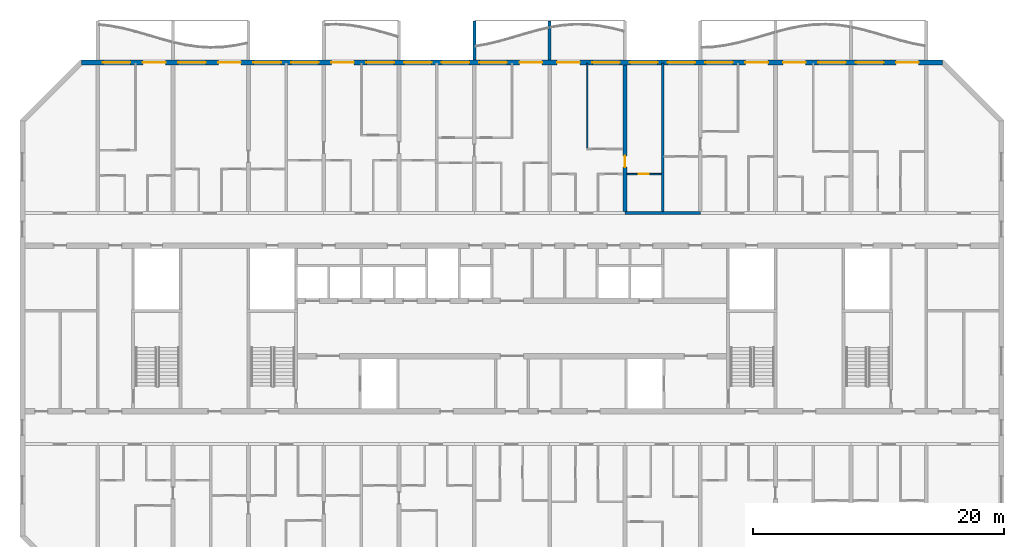
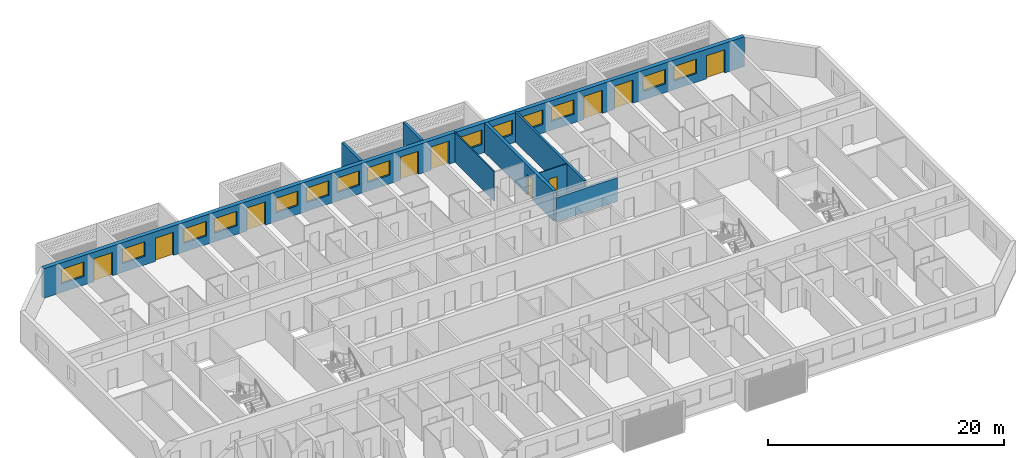
# One storey, part 10 of 31: 14 windows, 10 doors, 8 walls, 24 openings.
"""IFC4 building model written with IfcOpenShell, lengths in metres."""

import ifcopenshell
import ifcopenshell.guid

model = None  # the IFC model being written
_history = None  # IfcOwnerHistory: only IFC2X3 demands one
_inside = {}  # id of a spatial element -> (the spatial element, [elements in it])
_under = {}  # id of a project, library or spatial element -> (it, [spatial elements below it])
_declared = {}  # id of a project -> (the project, [libraries it declares])
_typed = {}  # id of a type object -> (the type object, [elements of that type])
_made_of = {}  # id of a material, layer set ... -> (it, [elements and type objects made of it])


def new_model(schema):
    """Start an empty IFC model of exactly this schema.

    Asked for "IFC4X3", IfcOpenShell would pick the latest addendum, in which some entities
    have other attributes; the version numbers below select the first issue.
    IFC2X3 requires an IfcOwnerHistory on every rooted entity: one is made here for all.
    """
    global model, _history
    if schema == "IFC4X3":
        model = ifcopenshell.file(schema_version=(4, 3, 0, 0))
    else:
        model = ifcopenshell.file(schema=schema)
    _inside.clear()
    _under.clear()
    _declared.clear()
    _typed.clear()
    _made_of.clear()
    _history = None
    if model.schema == "IFC2X3":
        org = make("IfcOrganization", Name="unknown")
        user = make(
            "IfcPersonAndOrganization",
            ThePerson=make("IfcPerson", FamilyName="unknown"),
            TheOrganization=org,
        )
        app = make(
            "IfcApplication",
            ApplicationDeveloper=org,
            Version="unknown",
            ApplicationFullName="unknown",
            ApplicationIdentifier="unknown",
        )
        _history = make(
            "IfcOwnerHistory",
            OwningUser=user,
            OwningApplication=app,
            ChangeAction="ADDED",
            CreationDate=0,
        )
    return model


def make(cls, **values):
    """One entity of the class cls with the attributes given. An attribute that is None is left unset."""
    return model.create_entity(
        cls, **{name: value for name, value in values.items() if value is not None}
    )


def rooted(cls, **values):
    """An entity with a GlobalId (a new one), such as an element, a storey or a relation."""
    return make(cls, GlobalId=ifcopenshell.guid.new(), OwnerHistory=_history, **values)


def si_unit(unit_type, name, prefix=None):
    """IfcSIUnit, for example si_unit("LENGTHUNIT", "METRE", prefix="MILLI")."""
    return make("IfcSIUnit", UnitType=unit_type, Prefix=prefix, Name=name)


def assignment(units):
    """IfcUnitAssignment: the units of a project."""
    return None if units is None else make("IfcUnitAssignment", Units=units)


def point(xyz):
    """IfcCartesianPoint."""
    return None if xyz is None else make("IfcCartesianPoint", Coordinates=xyz)


def direction(xyz):
    """IfcDirection."""
    return None if xyz is None else make("IfcDirection", DirectionRatios=xyz)


def frame(location, z_axis=None, x_axis=None):
    """IfcAxis2Placement3D, a coordinate frame: its origin and axes. An axis left out is left unset."""
    return make(
        "IfcAxis2Placement3D",
        Location=point(location),
        Axis=direction(z_axis),
        RefDirection=direction(x_axis),
    )


def frame_2d(location, x_axis=None):
    """IfcAxis2Placement2D, a coordinate frame in the plane: its origin and x axis."""
    return make(
        "IfcAxis2Placement2D", Location=point(location), RefDirection=direction(x_axis)
    )


def origin():
    """The frame at (0, 0, 0) with its axes left unset."""
    return frame((0.0, 0.0, 0.0))


def place(relative_to, where):
    """IfcLocalPlacement: puts the frame where relative to a parent placement (None: the world)."""
    return make(
        "IfcLocalPlacement", PlacementRelTo=relative_to, RelativePlacement=where
    )


def context(
    kind, dimensions, precision=None, world=None, true_north=None, identifier=None
):
    """IfcGeometricRepresentationContext, for example the 3D "Model" context."""
    return make(
        "IfcGeometricRepresentationContext",
        ContextIdentifier=identifier,
        ContextType=kind,
        CoordinateSpaceDimension=dimensions,
        Precision=precision,
        WorldCoordinateSystem=world,
        TrueNorth=true_north,
    )


def subcontext(parent, identifier, kind, view, scale=None):
    """IfcGeometricRepresentationSubContext, for example "Body" below "Model"."""
    return make(
        "IfcGeometricRepresentationSubContext",
        ContextIdentifier=identifier,
        ContextType=kind,
        ParentContext=parent,
        TargetScale=scale,
        TargetView=view,
    )


def project(units=None, contexts=None):
    """IfcProject with its units and contexts."""
    return rooted(
        "IfcProject",
        Name="project",
        RepresentationContexts=contexts,
        UnitsInContext=assignment(units),
    )


def spatial(cls, under=None, at=None, **own):
    """A site, building, storey or space (cls), placed at a placement, below another one or the project."""
    s = rooted(cls, ObjectPlacement=at, **own)
    if under is not None:
        _under.setdefault(under.id(), (under, []))[1].append(s)
    return s


def polyline(points):
    """IfcPolyline through the points."""
    return make("IfcPolyline", Points=[point(p) for p in points])


def profile(cls, at=None, kind="AREA", **sizes):
    """A parametric profile (cls). Its sizes go by their IFC names, for example OverallWidth=200.0."""
    return make(cls, ProfileType=kind, Position=at, **sizes)


def rectangle(**sizes):
    """IfcRectangleProfileDef."""
    return profile("IfcRectangleProfileDef", **sizes)


def outline(outer, holes=None, kind="AREA"):
    """IfcArbitraryClosedProfileDef: a profile drawn as a closed curve; with holes, ...WithVoids."""
    if holes is None:
        return make("IfcArbitraryClosedProfileDef", ProfileType=kind, OuterCurve=outer)
    return make(
        "IfcArbitraryProfileDefWithVoids",
        ProfileType=kind,
        OuterCurve=outer,
        InnerCurves=holes,
    )


def extrude(swept, where, along, depth):
    """IfcExtrudedAreaSolid: the profile swept, set in the frame where, extruded along a direction by depth."""
    return make(
        "IfcExtrudedAreaSolid",
        SweptArea=swept,
        Position=where,
        ExtrudedDirection=direction(along),
        Depth=depth,
    )


def shape(context_of_items, identifier, shape_type, items):
    """IfcShapeRepresentation: the items that make up one representation, for example the "Body"."""
    return make(
        "IfcShapeRepresentation",
        ContextOfItems=context_of_items,
        RepresentationIdentifier=identifier,
        RepresentationType=shape_type,
        Items=items,
    )


def source(mapping_origin, context_of_items, identifier, shape_type, items):
    """IfcRepresentationMap: a shape defined once, which mapped items show again and again."""
    return make(
        "IfcRepresentationMap",
        MappingOrigin=mapping_origin,
        MappedRepresentation=shape(context_of_items, identifier, shape_type, items),
    )


def transform(
    local_origin,
    x_axis=None,
    y_axis=None,
    z_axis=None,
    scale=None,
    scale2=None,
    scale3=None,
    uniform=True,
):
    """IfcCartesianTransformationOperator3D, or its non-uniform kind. x_axis, y_axis, z_axis: its Axis1, 2, 3."""
    if uniform:
        return make(
            "IfcCartesianTransformationOperator3D",
            Axis1=direction(x_axis),
            Axis2=direction(y_axis),
            LocalOrigin=point(local_origin),
            Scale=scale,
            Axis3=direction(z_axis),
        )
    return make(
        "IfcCartesianTransformationOperator3DnonUniform",
        Axis1=direction(x_axis),
        Axis2=direction(y_axis),
        LocalOrigin=point(local_origin),
        Scale=scale,
        Axis3=direction(z_axis),
        Scale2=scale2,
        Scale3=scale3,
    )


def mapped(mapping_source, mapping_target):
    """IfcMappedItem: shows the shape of a source again, moved by a transform."""
    return make(
        "IfcMappedItem", MappingSource=mapping_source, MappingTarget=mapping_target
    )


def material(Name=None, Category=None):
    """IfcMaterial."""
    return make("IfcMaterial", Name=Name, Category=Category)


def layer(
    of_material, thickness, ventilated=None, Name=None, Category=None, Priority=None
):
    """IfcMaterialLayer: one layer of a wall or slab, of a material (None: an air gap)."""
    return make(
        "IfcMaterialLayer",
        Material=of_material,
        LayerThickness=thickness,
        IsVentilated=ventilated,
        Name=Name,
        Category=Category,
        Priority=Priority,
    )


def layer_set(layers, Name=None):
    """IfcMaterialLayerSet."""
    return make("IfcMaterialLayerSet", MaterialLayers=layers, LayerSetName=Name)


def made_of(thing, what):
    """Note that an element or type object is made of a material, layer set ...; save() writes the relation."""
    if what is not None:
        _made_of.setdefault(what.id(), (what, []))[1].append(thing)
    return thing


def type_object(cls, material=None, **own):
    """A type object (cls), such as IfcWallType, which elements share."""
    return made_of(rooted(cls, **own), material)


def element(
    cls,
    number,
    at=None,
    inside=None,
    cuts=None,
    type_object=None,
    material=None,
    context=None,
    identifier="Body",
    shape_type=None,
    held_by="IfcProductDefinitionShape",
    body=None,
    shapes=None,
    **own,
):
    """One element of the class cls, such as IfcWall. Its Tag is "e" and its number.

    at: its placement. inside: the storey or other place that contains it. cuts: it is an
    opening in that element (IfcRelVoidsElement). A single representation is given by context,
    identifier, shape_type and body (its items); several are given by shapes. held_by: the class
    of the entity that holds the representations. save() writes the other relations.
    """
    e = rooted(cls, Tag="e%d" % number, ObjectPlacement=at, **own)
    if body is not None:
        shapes = [shape(context, identifier, shape_type, body)]
    if shapes is not None:
        e.Representation = make(held_by, Representations=shapes)
    if inside is not None:
        _inside.setdefault(inside.id(), (inside, []))[1].append(e)
    if cuts is not None:
        rooted(
            "IfcRelVoidsElement", RelatingBuildingElement=cuts, RelatedOpeningElement=e
        )
    if type_object is not None:
        _typed.setdefault(type_object.id(), (type_object, []))[1].append(e)
    return made_of(e, material)


def fill(opening, filler):
    """IfcRelFillsElement: the door or window that sits in an opening."""
    return rooted(
        "IfcRelFillsElement",
        RelatingOpeningElement=opening,
        RelatedBuildingElement=filler,
    )


def aggregate(whole, parts):
    """IfcRelAggregates: a whole, such as a stair, and the parts it consists of."""
    return rooted("IfcRelAggregates", RelatingObject=whole, RelatedObjects=parts)


def save(model, path):
    """Write the relations noted so far, then the file.

    IfcRelAggregates (storeys below a building ...), IfcRelContainedInSpatialStructure (elements
    in a storey), IfcRelDefinesByType, IfcRelAssociatesMaterial and IfcRelDeclares: one each for
    every whole, place, type object, material and project.
    """
    for whole, parts in _under.values():
        aggregate(whole, parts)
    for where, things in _inside.values():
        rooted(
            "IfcRelContainedInSpatialStructure",
            RelatedElements=things,
            RelatingStructure=where,
        )
    for kind, things in _typed.values():
        rooted("IfcRelDefinesByType", RelatedObjects=things, RelatingType=kind)
    for what, things in _made_of.values():
        rooted("IfcRelAssociatesMaterial", RelatedObjects=things, RelatingMaterial=what)
    for by, libraries in _declared.values():
        rooted("IfcRelDeclares", RelatingContext=by, RelatedDefinitions=libraries)
    model.write(path)


model = new_model("IFC4")

# Units and contexts
model_context = context("Model", 3, precision=1e-05, world=origin(), true_north=direction((0.0, 1.0)))
body_context = subcontext(model_context, "Body", "Model", "MODEL_VIEW")
ifc_project = project(units=[si_unit("LENGTHUNIT", "METRE"), si_unit("AREAUNIT", "SQUARE_METRE"), si_unit("VOLUMEUNIT", "CUBIC_METRE"), si_unit("PLANEANGLEUNIT", "RADIAN"), si_unit("MASSUNIT", "GRAM", prefix="KILO")], contexts=[model_context])

# Site, building, storey
site_placement = place(None, origin())
site = spatial("IfcSite", under=ifc_project, at=site_placement, CompositionType="ELEMENT")
building_placement = place(site_placement, origin())
building = spatial("IfcBuilding", under=site, at=building_placement, Name="Poui Terraces", CompositionType="ELEMENT")
storey_placement = place(building_placement, frame((0.0, 0.0, 145.5)))
storey = spatial("IfcBuildingStorey", under=building, at=storey_placement, Name="L40", CompositionType="ELEMENT", Elevation=145.5)

# Wall
ifc_material_1 = material(Name="Concrete 65 MPa", Category="concrete")
ifc_layer_1 = layer(ifc_material_1, 0.25)
ifc_layer_set_1 = layer_set([ifc_layer_1], Name="Concrete 65 MPa")
wall_type_1 = type_object("IfcWallType", Name="CORRIDOR WALL 250 65MPa", PredefinedType="SHEAR", material=ifc_layer_set_1)
wall_1_placement = place(storey_placement, frame((60.0, 30.39990234375, 0.0), z_axis=(0.0, 0.0, 1.0), x_axis=(1.0, 0.0, 0.0)))
element("IfcWall", 1, at=wall_1_placement, inside=storey, type_object=wall_type_1, Name="CORRIDOR WALL LINE E BAY 9", PredefinedType="SHEAR", context=body_context, shape_type="SweptSolid", body=[
    extrude(rectangle(XDim=6.0, YDim=0.25, at=frame_2d((3.0, 0.0))), origin(), (0.0, 0.0, 1.0), 2.469970703125),
])

# Wall, opening, door
ifc_layer_2 = layer(ifc_material_1, 0.300048828125)
ifc_layer_set_2 = layer_set([ifc_layer_2], Name="Concrete 65 MPa")
wall_type_2 = type_object("IfcWallType", Name="CROSS WALL 300 65MPa", PredefinedType="SHEAR", material=ifc_layer_set_2)
wall_2_placement = place(storey_placement, frame((60.0, 30.52490234375, 0.0), z_axis=(0.0, 0.0, 1.0), x_axis=(0.0, 1.0, 0.0)))
wall_2 = element("IfcWall", 2, at=wall_2_placement, inside=storey, type_object=wall_type_2, Name="CROSS WALL LINE 11 NORTH", PredefinedType="SHEAR", context=body_context, shape_type="SweptSolid", body=[
    extrude(rectangle(XDim=11.675048828125, YDim=0.300048828125, at=frame_2d((5.83740234375, 0.0))), origin(), (0.0, 0.0, 1.0), 3.070068359375),
])
opening_1_placement = place(wall_2_placement, frame((3.52490234375, 0.0, 0.0)))
opening_1 = element("IfcOpeningElement", 3, at=opening_1_placement, cuts=wall_2, Name="Opening D90", PredefinedType="OPENING", context=body_context, shape_type="SweptSolid", body=[
    extrude(rectangle(XDim=0.89990234375, YDim=2.10009765625, at=frame_2d((0.449951171875, 1.050048828125))), frame((0.0, 0.16015625, 0.0), z_axis=(0.0, -1.0, 0.0), x_axis=(1.0, 0.0, 0.0)), (0.0, 0.0, 1.0), 0.320068359375),
])
ifc_material_2 = material(Name="Solid core timber door", Category="wood")
door_type_1 = type_object("IfcDoorType", Name="INTERNAL DOOR 900 X 2100", OperationType="NOTDEFINED", PredefinedType="DOOR", material=ifc_material_2)
door_1_placement = place(opening_1_placement, frame((0.89990234375, 0.0, 0.0), z_axis=(0.0, 0.0, 1.0), x_axis=(-1.0, 0.0, 0.0)))
door_1 = element("IfcDoor", 4, at=door_1_placement, inside=storey, type_object=door_type_1, Name="INTERNAL DOOR 062", OperationType="SINGLE_SWING_RIGHT", OverallHeight=2.10009765625, OverallWidth=0.89990234375, PredefinedType="DOOR", context=body_context, shape_type="SweptSolid", body=[
    extrude(rectangle(XDim=0.89990234375, YDim=2.10009765625, at=frame_2d((0.449951171875, 1.050048828125))), frame((0.0, 0.02490234375, 0.0), z_axis=(0.0, -1.0, 0.0), x_axis=(1.0, 0.0, 0.0)), (0.0, 0.0, 1.0), 0.050048828125),
])
fill(opening_1, door_1)

# Wall, openings, doors, windows
ifc_material_3 = material(Name="Precast concrete 40 MPa", Category="concrete")
ifc_layer_3 = layer(ifc_material_3, 0.39990234375)
ifc_layer_set_3 = layer_set([ifc_layer_3], Name="Precast concrete 40 MPa")
wall_type_3 = type_object("IfcWallType", Name="EXTERNAL WALL 400", PredefinedType="STANDARD", material=ifc_layer_set_3)
wall_3_placement = place(storey_placement, frame((85.317138671875, 42.39990234375, 0.0), z_axis=(0.0, 0.0, 1.0), x_axis=(-1.0, 0.0, 0.0)))
wall_3 = element("IfcWall", 5, at=wall_3_placement, inside=storey, type_object=wall_type_3, Name="EXTERNAL WALL N", PredefinedType="STANDARD", context=body_context, shape_type="SweptSolid", body=[
    extrude(rectangle(XDim=68.63427734375, YDim=0.39990234375, at=frame_2d((34.317138671875, 0.0))), origin(), (0.0, 0.0, 1.0), 3.070068359375),
])
opening_2_placement = place(wall_3_placement, frame((64.71728515625, 0.0, 0.89990234375)))
opening_2 = element("IfcOpeningElement", 6, at=opening_2_placement, cuts=wall_3, Name="Opening W1", PredefinedType="OPENING", context=body_context, shape_type="SweptSolid", body=[
    extrude(rectangle(XDim=2.199951171875, YDim=1.5, at=frame_2d((1.10009765625, 0.75))), frame((0.0, 0.2099609375, 0.0), z_axis=(0.0, -1.0, 0.0), x_axis=(1.0, 0.0, 0.0)), (0.0, 0.0, 1.0), 0.419921875),
])
opening_3_placement = place(wall_3_placement, frame((61.917236328125, 0.0, 0.0)))
opening_3 = element("IfcOpeningElement", 7, at=opening_3_placement, cuts=wall_3, Name="Opening BD1", PredefinedType="OPENING", context=body_context, shape_type="SweptSolid", body=[
    extrude(rectangle(XDim=1.800048828125, YDim=2.39990234375, at=frame_2d((0.89990234375, 1.199951171875))), frame((0.0, 0.2099609375, 0.0), z_axis=(0.0, -1.0, 0.0), x_axis=(1.0, 0.0, 0.0)), (0.0, 0.0, 1.0), 0.419921875),
])
opening_4_placement = place(wall_3_placement, frame((58.71728515625, 0.0, 0.89990234375)))
opening_4 = element("IfcOpeningElement", 8, at=opening_4_placement, cuts=wall_3, Name="Opening W1", PredefinedType="OPENING", context=body_context, shape_type="SweptSolid", body=[
    extrude(rectangle(XDim=2.199951171875, YDim=1.5, at=frame_2d((1.10009765625, 0.75))), frame((0.0, 0.2099609375, 0.0), z_axis=(0.0, -1.0, 0.0), x_axis=(1.0, 0.0, 0.0)), (0.0, 0.0, 1.0), 0.419921875),
])
opening_5_placement = place(wall_3_placement, frame((55.917236328125, 0.0, 0.0)))
opening_5 = element("IfcOpeningElement", 9, at=opening_5_placement, cuts=wall_3, Name="Opening BD1", PredefinedType="OPENING", context=body_context, shape_type="SweptSolid", body=[
    extrude(rectangle(XDim=1.800048828125, YDim=2.39990234375, at=frame_2d((0.89990234375, 1.199951171875))), frame((0.0, 0.2099609375, 0.0), z_axis=(0.0, -1.0, 0.0), x_axis=(1.0, 0.0, 0.0)), (0.0, 0.0, 1.0), 0.419921875),
])
opening_6_placement = place(wall_3_placement, frame((52.71728515625, 0.0, 0.89990234375)))
opening_6 = element("IfcOpeningElement", 10, at=opening_6_placement, cuts=wall_3, Name="Opening W1", PredefinedType="OPENING", context=body_context, shape_type="SweptSolid", body=[
    extrude(rectangle(XDim=2.199951171875, YDim=1.5, at=frame_2d((1.10009765625, 0.75))), frame((0.0, 0.2099609375, 0.0), z_axis=(0.0, -1.0, 0.0), x_axis=(1.0, 0.0, 0.0)), (0.0, 0.0, 1.0), 0.419921875),
])
opening_7_placement = place(wall_3_placement, frame((49.71728515625, 0.0, 0.89990234375)))
opening_7 = element("IfcOpeningElement", 11, at=opening_7_placement, cuts=wall_3, Name="Opening W1", PredefinedType="OPENING", context=body_context, shape_type="SweptSolid", body=[
    extrude(rectangle(XDim=2.199951171875, YDim=1.5, at=frame_2d((1.10009765625, 0.75))), frame((0.0, 0.2099609375, 0.0), z_axis=(0.0, -1.0, 0.0), x_axis=(1.0, 0.0, 0.0)), (0.0, 0.0, 1.0), 0.419921875),
])
opening_8_placement = place(wall_3_placement, frame((46.917236328125, 0.0, 0.0)))
opening_8 = element("IfcOpeningElement", 12, at=opening_8_placement, cuts=wall_3, Name="Opening BD1", PredefinedType="OPENING", context=body_context, shape_type="SweptSolid", body=[
    extrude(rectangle(XDim=1.800048828125, YDim=2.39990234375, at=frame_2d((0.89990234375, 1.199951171875))), frame((0.0, 0.2099609375, 0.0), z_axis=(0.0, -1.0, 0.0), x_axis=(1.0, 0.0, 0.0)), (0.0, 0.0, 1.0), 0.419921875),
])
opening_9_placement = place(wall_3_placement, frame((43.71728515625, 0.0, 0.89990234375)))
opening_9 = element("IfcOpeningElement", 13, at=opening_9_placement, cuts=wall_3, Name="Opening W1", PredefinedType="OPENING", context=body_context, shape_type="SweptSolid", body=[
    extrude(rectangle(XDim=2.199951171875, YDim=1.5, at=frame_2d((1.10009765625, 0.75))), frame((0.0, 0.2099609375, 0.0), z_axis=(0.0, -1.0, 0.0), x_axis=(1.0, 0.0, 0.0)), (0.0, 0.0, 1.0), 0.419921875),
])
opening_10_placement = place(wall_3_placement, frame((40.71728515625, 0.0, 0.89990234375)))
opening_10 = element("IfcOpeningElement", 14, at=opening_10_placement, cuts=wall_3, Name="Opening W1", PredefinedType="OPENING", context=body_context, shape_type="SweptSolid", body=[
    extrude(rectangle(XDim=2.199951171875, YDim=1.5, at=frame_2d((1.10009765625, 0.75))), frame((0.0, 0.2099609375, 0.0), z_axis=(0.0, -1.0, 0.0), x_axis=(1.0, 0.0, 0.0)), (0.0, 0.0, 1.0), 0.419921875),
])
opening_11_placement = place(wall_3_placement, frame((37.71728515625, 0.0, 0.89990234375)))
opening_11 = element("IfcOpeningElement", 15, at=opening_11_placement, cuts=wall_3, Name="Opening W1", PredefinedType="OPENING", context=body_context, shape_type="SweptSolid", body=[
    extrude(rectangle(XDim=2.199951171875, YDim=1.5, at=frame_2d((1.10009765625, 0.75))), frame((0.0, 0.2099609375, 0.0), z_axis=(0.0, -1.0, 0.0), x_axis=(1.0, 0.0, 0.0)), (0.0, 0.0, 1.0), 0.419921875),
])
opening_12_placement = place(wall_3_placement, frame((34.71728515625, 0.0, 0.89990234375)))
opening_12 = element("IfcOpeningElement", 16, at=opening_12_placement, cuts=wall_3, Name="Opening W1", PredefinedType="OPENING", context=body_context, shape_type="SweptSolid", body=[
    extrude(rectangle(XDim=2.199951171875, YDim=1.5, at=frame_2d((1.10009765625, 0.75))), frame((0.0, 0.2099609375, 0.0), z_axis=(0.0, -1.0, 0.0), x_axis=(1.0, 0.0, 0.0)), (0.0, 0.0, 1.0), 0.419921875),
])
opening_13_placement = place(wall_3_placement, frame((31.917236328125, 0.0, 0.0)))
opening_13 = element("IfcOpeningElement", 17, at=opening_13_placement, cuts=wall_3, Name="Opening BD1", PredefinedType="OPENING", context=body_context, shape_type="SweptSolid", body=[
    extrude(rectangle(XDim=1.800048828125, YDim=2.39990234375, at=frame_2d((0.89990234375, 1.199951171875))), frame((0.0, 0.2099609375, 0.0), z_axis=(0.0, -1.0, 0.0), x_axis=(1.0, 0.0, 0.0)), (0.0, 0.0, 1.0), 0.419921875),
])
opening_14_placement = place(wall_3_placement, frame((28.917236328125, 0.0, 0.0)))
opening_14 = element("IfcOpeningElement", 18, at=opening_14_placement, cuts=wall_3, Name="Opening BD1", PredefinedType="OPENING", context=body_context, shape_type="SweptSolid", body=[
    extrude(rectangle(XDim=1.800048828125, YDim=2.39990234375, at=frame_2d((0.89990234375, 1.199951171875))), frame((0.0, 0.2099609375, 0.0), z_axis=(0.0, -1.0, 0.0), x_axis=(1.0, 0.0, 0.0)), (0.0, 0.0, 1.0), 0.419921875),
])
opening_15_placement = place(wall_3_placement, frame((25.71728515625, 0.0, 0.89990234375)))
opening_15 = element("IfcOpeningElement", 19, at=opening_15_placement, cuts=wall_3, Name="Opening W1", PredefinedType="OPENING", context=body_context, shape_type="SweptSolid", body=[
    extrude(rectangle(XDim=2.199951171875, YDim=1.5, at=frame_2d((1.10009765625, 0.75))), frame((0.0, 0.2099609375, 0.0), z_axis=(0.0, -1.0, 0.0), x_axis=(1.0, 0.0, 0.0)), (0.0, 0.0, 1.0), 0.419921875),
])
opening_16_placement = place(wall_3_placement, frame((22.71728515625, 0.0, 0.89990234375)))
opening_16 = element("IfcOpeningElement", 20, at=opening_16_placement, cuts=wall_3, Name="Opening W1", PredefinedType="OPENING", context=body_context, shape_type="SweptSolid", body=[
    extrude(rectangle(XDim=2.199951171875, YDim=1.5, at=frame_2d((1.10009765625, 0.75))), frame((0.0, 0.2099609375, 0.0), z_axis=(0.0, -1.0, 0.0), x_axis=(1.0, 0.0, 0.0)), (0.0, 0.0, 1.0), 0.419921875),
])
opening_17_placement = place(wall_3_placement, frame((19.71728515625, 0.0, 0.89990234375)))
opening_17 = element("IfcOpeningElement", 21, at=opening_17_placement, cuts=wall_3, Name="Opening W1", PredefinedType="OPENING", context=body_context, shape_type="SweptSolid", body=[
    extrude(rectangle(XDim=2.199951171875, YDim=1.5, at=frame_2d((1.10009765625, 0.75))), frame((0.0, 0.2099609375, 0.0), z_axis=(0.0, -1.0, 0.0), x_axis=(1.0, 0.0, 0.0)), (0.0, 0.0, 1.0), 0.419921875),
])
opening_18_placement = place(wall_3_placement, frame((16.71728515625, 0.0, 0.89990234375)))
opening_18 = element("IfcOpeningElement", 22, at=opening_18_placement, cuts=wall_3, Name="Opening W1", PredefinedType="OPENING", context=body_context, shape_type="SweptSolid", body=[
    extrude(rectangle(XDim=2.199951171875, YDim=1.5, at=frame_2d((1.10009765625, 0.75))), frame((0.0, 0.2099609375, 0.0), z_axis=(0.0, -1.0, 0.0), x_axis=(1.0, 0.0, 0.0)), (0.0, 0.0, 1.0), 0.419921875),
])
opening_19_placement = place(wall_3_placement, frame((13.917236328125, 0.0, 0.0)))
opening_19 = element("IfcOpeningElement", 23, at=opening_19_placement, cuts=wall_3, Name="Opening BD1", PredefinedType="OPENING", context=body_context, shape_type="SweptSolid", body=[
    extrude(rectangle(XDim=1.800048828125, YDim=2.39990234375, at=frame_2d((0.89990234375, 1.199951171875))), frame((0.0, 0.2099609375, 0.0), z_axis=(0.0, -1.0, 0.0), x_axis=(1.0, 0.0, 0.0)), (0.0, 0.0, 1.0), 0.419921875),
])
opening_20_placement = place(wall_3_placement, frame((10.917236328125, 0.0, 0.0)))
opening_20 = element("IfcOpeningElement", 24, at=opening_20_placement, cuts=wall_3, Name="Opening BD1", PredefinedType="OPENING", context=body_context, shape_type="SweptSolid", body=[
    extrude(rectangle(XDim=1.800048828125, YDim=2.39990234375, at=frame_2d((0.89990234375, 1.199951171875))), frame((0.0, 0.2099609375, 0.0), z_axis=(0.0, -1.0, 0.0), x_axis=(1.0, 0.0, 0.0)), (0.0, 0.0, 1.0), 0.419921875),
])
opening_21_placement = place(wall_3_placement, frame((7.71728515625, 0.0, 0.89990234375)))
opening_21 = element("IfcOpeningElement", 25, at=opening_21_placement, cuts=wall_3, Name="Opening W1", PredefinedType="OPENING", context=body_context, shape_type="SweptSolid", body=[
    extrude(rectangle(XDim=2.199951171875, YDim=1.5, at=frame_2d((1.10009765625, 0.75))), frame((0.0, 0.2099609375, 0.0), z_axis=(0.0, -1.0, 0.0), x_axis=(1.0, 0.0, 0.0)), (0.0, 0.0, 1.0), 0.419921875),
])
opening_22_placement = place(wall_3_placement, frame((4.71728515625, 0.0, 0.89990234375)))
opening_22 = element("IfcOpeningElement", 26, at=opening_22_placement, cuts=wall_3, Name="Opening W1", PredefinedType="OPENING", context=body_context, shape_type="SweptSolid", body=[
    extrude(rectangle(XDim=2.199951171875, YDim=1.5, at=frame_2d((1.10009765625, 0.75))), frame((0.0, 0.2099609375, 0.0), z_axis=(0.0, -1.0, 0.0), x_axis=(1.0, 0.0, 0.0)), (0.0, 0.0, 1.0), 0.419921875),
])
opening_23_placement = place(wall_3_placement, frame((1.917236328125, 0.0, 0.0)))
opening_23 = element("IfcOpeningElement", 27, at=opening_23_placement, cuts=wall_3, Name="Opening BD1", PredefinedType="OPENING", context=body_context, shape_type="SweptSolid", body=[
    extrude(rectangle(XDim=1.800048828125, YDim=2.39990234375, at=frame_2d((0.89990234375, 1.199951171875))), frame((0.0, 0.2099609375, 0.0), z_axis=(0.0, -1.0, 0.0), x_axis=(1.0, 0.0, 0.0)), (0.0, 0.0, 1.0), 0.419921875),
])
ifc_material_4 = material(Name="Clear glass in aluminium frame", Category="aluminium")
door_type_2 = type_object("IfcDoorType", Name="BALCONY DOOR 1800X2400", OperationType="DOUBLE_DOOR_SLIDING", PredefinedType="DOOR", material=ifc_material_4)
door_2_placement = place(opening_3_placement, origin())
door_2 = element("IfcDoor", 28, at=door_2_placement, inside=storey, type_object=door_type_2, Name="BD1 BALCONY DOOR", OperationType="DOUBLE_DOOR_SLIDING", OverallHeight=2.39990234375, OverallWidth=1.800048828125, PredefinedType="DOOR", context=body_context, shape_type="SweptSolid", body=[
    extrude(rectangle(XDim=1.800048828125, YDim=2.39990234375, at=frame_2d((0.89990234375, 1.199951171875))), frame((0.0, 0.02490234375, 0.0), z_axis=(0.0, -1.0, 0.0), x_axis=(1.0, 0.0, 0.0)), (0.0, 0.0, 1.0), 0.050048828125),
])
fill(opening_3, door_2)
door_3_placement = place(opening_5_placement, origin())
door_3 = element("IfcDoor", 29, at=door_3_placement, inside=storey, type_object=door_type_2, Name="BD1 BALCONY DOOR", OperationType="DOUBLE_DOOR_SLIDING", OverallHeight=2.39990234375, OverallWidth=1.800048828125, PredefinedType="DOOR", context=body_context, shape_type="SweptSolid", body=[
    extrude(rectangle(XDim=1.800048828125, YDim=2.39990234375, at=frame_2d((0.89990234375, 1.199951171875))), frame((0.0, 0.02490234375, 0.0), z_axis=(0.0, -1.0, 0.0), x_axis=(1.0, 0.0, 0.0)), (0.0, 0.0, 1.0), 0.050048828125),
])
fill(opening_5, door_3)
door_4_placement = place(opening_8_placement, origin())
door_4 = element("IfcDoor", 30, at=door_4_placement, inside=storey, type_object=door_type_2, Name="BD1 BALCONY DOOR", OperationType="DOUBLE_DOOR_SLIDING", OverallHeight=2.39990234375, OverallWidth=1.800048828125, PredefinedType="DOOR", context=body_context, shape_type="SweptSolid", body=[
    extrude(rectangle(XDim=1.800048828125, YDim=2.39990234375, at=frame_2d((0.89990234375, 1.199951171875))), frame((0.0, 0.02490234375, 0.0), z_axis=(0.0, -1.0, 0.0), x_axis=(1.0, 0.0, 0.0)), (0.0, 0.0, 1.0), 0.050048828125),
])
fill(opening_8, door_4)
door_5_placement = place(opening_13_placement, origin())
door_5 = element("IfcDoor", 31, at=door_5_placement, inside=storey, type_object=door_type_2, Name="BD1 BALCONY DOOR", OperationType="DOUBLE_DOOR_SLIDING", OverallHeight=2.39990234375, OverallWidth=1.800048828125, PredefinedType="DOOR", context=body_context, shape_type="SweptSolid", body=[
    extrude(rectangle(XDim=1.800048828125, YDim=2.39990234375, at=frame_2d((0.89990234375, 1.199951171875))), frame((0.0, 0.02490234375, 0.0), z_axis=(0.0, -1.0, 0.0), x_axis=(1.0, 0.0, 0.0)), (0.0, 0.0, 1.0), 0.050048828125),
])
fill(opening_13, door_5)
door_6_placement = place(opening_14_placement, origin())
door_6 = element("IfcDoor", 32, at=door_6_placement, inside=storey, type_object=door_type_2, Name="BD1 BALCONY DOOR", OperationType="DOUBLE_DOOR_SLIDING", OverallHeight=2.39990234375, OverallWidth=1.800048828125, PredefinedType="DOOR", context=body_context, shape_type="SweptSolid", body=[
    extrude(rectangle(XDim=1.800048828125, YDim=2.39990234375, at=frame_2d((0.89990234375, 1.199951171875))), frame((0.0, 0.02490234375, 0.0), z_axis=(0.0, -1.0, 0.0), x_axis=(1.0, 0.0, 0.0)), (0.0, 0.0, 1.0), 0.050048828125),
])
fill(opening_14, door_6)
door_7_placement = place(opening_19_placement, origin())
door_7 = element("IfcDoor", 33, at=door_7_placement, inside=storey, type_object=door_type_2, Name="BD1 BALCONY DOOR", OperationType="DOUBLE_DOOR_SLIDING", OverallHeight=2.39990234375, OverallWidth=1.800048828125, PredefinedType="DOOR", context=body_context, shape_type="SweptSolid", body=[
    extrude(rectangle(XDim=1.800048828125, YDim=2.39990234375, at=frame_2d((0.89990234375, 1.199951171875))), frame((0.0, 0.02490234375, 0.0), z_axis=(0.0, -1.0, 0.0), x_axis=(1.0, 0.0, 0.0)), (0.0, 0.0, 1.0), 0.050048828125),
])
fill(opening_19, door_7)
door_8_placement = place(opening_20_placement, origin())
door_8 = element("IfcDoor", 34, at=door_8_placement, inside=storey, type_object=door_type_2, Name="BD1 BALCONY DOOR", OperationType="DOUBLE_DOOR_SLIDING", OverallHeight=2.39990234375, OverallWidth=1.800048828125, PredefinedType="DOOR", context=body_context, shape_type="SweptSolid", body=[
    extrude(rectangle(XDim=1.800048828125, YDim=2.39990234375, at=frame_2d((0.89990234375, 1.199951171875))), frame((0.0, 0.02490234375, 0.0), z_axis=(0.0, -1.0, 0.0), x_axis=(1.0, 0.0, 0.0)), (0.0, 0.0, 1.0), 0.050048828125),
])
fill(opening_20, door_8)
door_9_placement = place(opening_23_placement, origin())
door_9 = element("IfcDoor", 35, at=door_9_placement, inside=storey, type_object=door_type_2, Name="BD1 BALCONY DOOR", OperationType="DOUBLE_DOOR_SLIDING", OverallHeight=2.39990234375, OverallWidth=1.800048828125, PredefinedType="DOOR", context=body_context, shape_type="SweptSolid", body=[
    extrude(rectangle(XDim=1.800048828125, YDim=2.39990234375, at=frame_2d((0.89990234375, 1.199951171875))), frame((0.0, 0.02490234375, 0.0), z_axis=(0.0, -1.0, 0.0), x_axis=(1.0, 0.0, 0.0)), (0.0, 0.0, 1.0), 0.050048828125),
])
fill(opening_23, door_9)
window_type = type_object("IfcWindowType", Name="WINDOW 2200X1500", PartitioningType="DOUBLE_PANEL_HORIZONTAL", PredefinedType="WINDOW", material=ifc_material_4)
window_1_placement = place(opening_2_placement, origin())
window_1 = element("IfcWindow", 36, at=window_1_placement, inside=storey, type_object=window_type, Name="W1 WINDOW", OverallHeight=1.5, OverallWidth=2.199951171875, PartitioningType="DOUBLE_PANEL_HORIZONTAL", PredefinedType="WINDOW", context=body_context, shape_type="SweptSolid", body=[
    extrude(rectangle(XDim=2.199951171875, YDim=1.5, at=frame_2d((1.10009765625, 0.75))), frame((0.0, 0.030029296875, 0.0), z_axis=(0.0, -1.0, 0.0), x_axis=(1.0, 0.0, 0.0)), (0.0, 0.0, 1.0), 0.06005859375),
])
fill(opening_2, window_1)
window_2_placement = place(opening_4_placement, origin())
window_2 = element("IfcWindow", 37, at=window_2_placement, inside=storey, type_object=window_type, Name="W1 WINDOW", OverallHeight=1.5, OverallWidth=2.199951171875, PartitioningType="DOUBLE_PANEL_HORIZONTAL", PredefinedType="WINDOW", context=body_context, shape_type="SweptSolid", body=[
    extrude(rectangle(XDim=2.199951171875, YDim=1.5, at=frame_2d((1.10009765625, 0.75))), frame((0.0, 0.030029296875, 0.0), z_axis=(0.0, -1.0, 0.0), x_axis=(1.0, 0.0, 0.0)), (0.0, 0.0, 1.0), 0.06005859375),
])
fill(opening_4, window_2)
window_3_placement = place(opening_6_placement, origin())
window_3 = element("IfcWindow", 38, at=window_3_placement, inside=storey, type_object=window_type, Name="W1 WINDOW", OverallHeight=1.5, OverallWidth=2.199951171875, PartitioningType="DOUBLE_PANEL_HORIZONTAL", PredefinedType="WINDOW", context=body_context, shape_type="SweptSolid", body=[
    extrude(rectangle(XDim=2.199951171875, YDim=1.5, at=frame_2d((1.10009765625, 0.75))), frame((0.0, 0.030029296875, 0.0), z_axis=(0.0, -1.0, 0.0), x_axis=(1.0, 0.0, 0.0)), (0.0, 0.0, 1.0), 0.06005859375),
])
fill(opening_6, window_3)
window_4_placement = place(opening_7_placement, origin())
window_4 = element("IfcWindow", 39, at=window_4_placement, inside=storey, type_object=window_type, Name="W1 WINDOW", OverallHeight=1.5, OverallWidth=2.199951171875, PartitioningType="DOUBLE_PANEL_HORIZONTAL", PredefinedType="WINDOW", context=body_context, shape_type="SweptSolid", body=[
    extrude(rectangle(XDim=2.199951171875, YDim=1.5, at=frame_2d((1.10009765625, 0.75))), frame((0.0, 0.030029296875, 0.0), z_axis=(0.0, -1.0, 0.0), x_axis=(1.0, 0.0, 0.0)), (0.0, 0.0, 1.0), 0.06005859375),
])
fill(opening_7, window_4)
window_5_placement = place(opening_9_placement, origin())
window_5 = element("IfcWindow", 40, at=window_5_placement, inside=storey, type_object=window_type, Name="W1 WINDOW", OverallHeight=1.5, OverallWidth=2.199951171875, PartitioningType="DOUBLE_PANEL_HORIZONTAL", PredefinedType="WINDOW", context=body_context, shape_type="SweptSolid", body=[
    extrude(rectangle(XDim=2.199951171875, YDim=1.5, at=frame_2d((1.10009765625, 0.75))), frame((0.0, 0.030029296875, 0.0), z_axis=(0.0, -1.0, 0.0), x_axis=(1.0, 0.0, 0.0)), (0.0, 0.0, 1.0), 0.06005859375),
])
fill(opening_9, window_5)
window_6_placement = place(opening_10_placement, origin())
window_6 = element("IfcWindow", 41, at=window_6_placement, inside=storey, type_object=window_type, Name="W1 WINDOW", OverallHeight=1.5, OverallWidth=2.199951171875, PartitioningType="DOUBLE_PANEL_HORIZONTAL", PredefinedType="WINDOW", context=body_context, shape_type="SweptSolid", body=[
    extrude(rectangle(XDim=2.199951171875, YDim=1.5, at=frame_2d((1.10009765625, 0.75))), frame((0.0, 0.030029296875, 0.0), z_axis=(0.0, -1.0, 0.0), x_axis=(1.0, 0.0, 0.0)), (0.0, 0.0, 1.0), 0.06005859375),
])
fill(opening_10, window_6)
window_7_placement = place(opening_11_placement, origin())
window_7 = element("IfcWindow", 42, at=window_7_placement, inside=storey, type_object=window_type, Name="W1 WINDOW", OverallHeight=1.5, OverallWidth=2.199951171875, PartitioningType="DOUBLE_PANEL_HORIZONTAL", PredefinedType="WINDOW", context=body_context, shape_type="SweptSolid", body=[
    extrude(rectangle(XDim=2.199951171875, YDim=1.5, at=frame_2d((1.10009765625, 0.75))), frame((0.0, 0.030029296875, 0.0), z_axis=(0.0, -1.0, 0.0), x_axis=(1.0, 0.0, 0.0)), (0.0, 0.0, 1.0), 0.06005859375),
])
fill(opening_11, window_7)
window_8_placement = place(opening_12_placement, origin())
window_8 = element("IfcWindow", 43, at=window_8_placement, inside=storey, type_object=window_type, Name="W1 WINDOW", OverallHeight=1.5, OverallWidth=2.199951171875, PartitioningType="DOUBLE_PANEL_HORIZONTAL", PredefinedType="WINDOW", context=body_context, shape_type="SweptSolid", body=[
    extrude(rectangle(XDim=2.199951171875, YDim=1.5, at=frame_2d((1.10009765625, 0.75))), frame((0.0, 0.030029296875, 0.0), z_axis=(0.0, -1.0, 0.0), x_axis=(1.0, 0.0, 0.0)), (0.0, 0.0, 1.0), 0.06005859375),
])
fill(opening_12, window_8)
window_9_placement = place(opening_15_placement, origin())
window_9 = element("IfcWindow", 44, at=window_9_placement, inside=storey, type_object=window_type, Name="W1 WINDOW", OverallHeight=1.5, OverallWidth=2.199951171875, PartitioningType="DOUBLE_PANEL_HORIZONTAL", PredefinedType="WINDOW", context=body_context, shape_type="SweptSolid", body=[
    extrude(rectangle(XDim=2.199951171875, YDim=1.5, at=frame_2d((1.10009765625, 0.75))), frame((0.0, 0.030029296875, 0.0), z_axis=(0.0, -1.0, 0.0), x_axis=(1.0, 0.0, 0.0)), (0.0, 0.0, 1.0), 0.06005859375),
])
fill(opening_15, window_9)
window_10_placement = place(opening_16_placement, origin())
window_10 = element("IfcWindow", 45, at=window_10_placement, inside=storey, type_object=window_type, Name="W1 WINDOW", OverallHeight=1.5, OverallWidth=2.199951171875, PartitioningType="DOUBLE_PANEL_HORIZONTAL", PredefinedType="WINDOW", context=body_context, shape_type="SweptSolid", body=[
    extrude(rectangle(XDim=2.199951171875, YDim=1.5, at=frame_2d((1.10009765625, 0.75))), frame((0.0, 0.030029296875, 0.0), z_axis=(0.0, -1.0, 0.0), x_axis=(1.0, 0.0, 0.0)), (0.0, 0.0, 1.0), 0.06005859375),
])
fill(opening_16, window_10)
window_11_placement = place(opening_17_placement, origin())
window_11 = element("IfcWindow", 46, at=window_11_placement, inside=storey, type_object=window_type, Name="W1 WINDOW", OverallHeight=1.5, OverallWidth=2.199951171875, PartitioningType="DOUBLE_PANEL_HORIZONTAL", PredefinedType="WINDOW", context=body_context, shape_type="SweptSolid", body=[
    extrude(rectangle(XDim=2.199951171875, YDim=1.5, at=frame_2d((1.10009765625, 0.75))), frame((0.0, 0.030029296875, 0.0), z_axis=(0.0, -1.0, 0.0), x_axis=(1.0, 0.0, 0.0)), (0.0, 0.0, 1.0), 0.06005859375),
])
fill(opening_17, window_11)
window_12_placement = place(opening_18_placement, origin())
window_12 = element("IfcWindow", 47, at=window_12_placement, inside=storey, type_object=window_type, Name="W1 WINDOW", OverallHeight=1.5, OverallWidth=2.199951171875, PartitioningType="DOUBLE_PANEL_HORIZONTAL", PredefinedType="WINDOW", context=body_context, shape_type="SweptSolid", body=[
    extrude(rectangle(XDim=2.199951171875, YDim=1.5, at=frame_2d((1.10009765625, 0.75))), frame((0.0, 0.030029296875, 0.0), z_axis=(0.0, -1.0, 0.0), x_axis=(1.0, 0.0, 0.0)), (0.0, 0.0, 1.0), 0.06005859375),
])
fill(opening_18, window_12)
window_13_placement = place(opening_21_placement, origin())
window_13 = element("IfcWindow", 48, at=window_13_placement, inside=storey, type_object=window_type, Name="W1 WINDOW", OverallHeight=1.5, OverallWidth=2.199951171875, PartitioningType="DOUBLE_PANEL_HORIZONTAL", PredefinedType="WINDOW", context=body_context, shape_type="SweptSolid", body=[
    extrude(rectangle(XDim=2.199951171875, YDim=1.5, at=frame_2d((1.10009765625, 0.75))), frame((0.0, 0.030029296875, 0.0), z_axis=(0.0, -1.0, 0.0), x_axis=(1.0, 0.0, 0.0)), (0.0, 0.0, 1.0), 0.06005859375),
])
fill(opening_21, window_13)
window_14_placement = place(opening_22_placement, origin())
window_14 = element("IfcWindow", 49, at=window_14_placement, inside=storey, type_object=window_type, Name="W1 WINDOW", OverallHeight=1.5, OverallWidth=2.199951171875, PartitioningType="DOUBLE_PANEL_HORIZONTAL", PredefinedType="WINDOW", context=body_context, shape_type="SweptSolid", body=[
    extrude(rectangle(XDim=2.199951171875, YDim=1.5, at=frame_2d((1.10009765625, 0.75))), frame((0.0, 0.030029296875, 0.0), z_axis=(0.0, -1.0, 0.0), x_axis=(1.0, 0.0, 0.0)), (0.0, 0.0, 1.0), 0.06005859375),
])
fill(opening_22, window_14)

# Wall, opening, door
ifc_material_5 = material(Name="Plasterboard partition")
ifc_layer_4 = layer(ifc_material_5, 0.10009765625)
ifc_layer_set_4 = layer_set([ifc_layer_4], Name="Plasterboard partition")
wall_type_4 = type_object("IfcWallType", Name="FLAT PARTITION 100", PredefinedType="PARTITIONING", material=ifc_layer_set_4)
wall_4_placement = place(storey_placement, frame((60.159912109375, 33.5, 0.0), z_axis=(0.0, 0.0, 1.0), x_axis=(1.0, 0.0, 0.0)))
wall_4 = element("IfcWall", 50, at=wall_4_placement, inside=storey, type_object=wall_type_4, Name="FLAT PARTITION 100", PredefinedType="PARTITIONING", context=body_context, shape_type="SweptSolid", body=[
    extrude(rectangle(XDim=2.739990234375, YDim=0.10009765625, at=frame_2d((1.3701171875, 0.0))), origin(), (0.0, 0.0, 1.0), 3.070068359375),
])
opening_24_placement = place(wall_4_placement, frame((0.93994140625, 0.0, 0.0)))
opening_24 = element("IfcOpeningElement", 51, at=opening_24_placement, cuts=wall_4, Name="Opening D80", PredefinedType="OPENING", context=body_context, shape_type="SweptSolid", body=[
    extrude(rectangle(XDim=0.800048828125, YDim=2.10009765625, at=frame_2d((0.39990234375, 1.050048828125))), frame((0.0, 0.06005859375, 0.0), z_axis=(0.0, -1.0, 0.0), x_axis=(1.0, 0.0, 0.0)), (0.0, 0.0, 1.0), 0.1201171875),
])
door_type_3 = type_object("IfcDoorType", Name="BATHROOM, LAUNDRY AND STORE DOOR 800 X 2100", OperationType="NOTDEFINED", PredefinedType="DOOR", material=ifc_material_2)
door_10_placement = place(opening_24_placement, frame((0.800048828125, 0.0, 0.0), z_axis=(0.0, 0.0, 1.0), x_axis=(-1.0, 0.0, 0.0)))
door_10 = element("IfcDoor", 52, at=door_10_placement, inside=storey, type_object=door_type_3, Name="BATHROOM, LAUNDRY AND STORE DOOR 057", OperationType="SINGLE_SWING_LEFT", OverallHeight=2.10009765625, OverallWidth=0.800048828125, PredefinedType="DOOR", context=body_context, shape_type="SweptSolid", body=[
    extrude(rectangle(XDim=0.800048828125, YDim=2.10009765625, at=frame_2d((0.39990234375, 1.050048828125))), frame((0.0, 0.02490234375, 0.0), z_axis=(0.0, -1.0, 0.0), x_axis=(1.0, 0.0, 0.0)), (0.0, 0.0, 1.0), 0.050048828125),
])
fill(opening_24, door_10)

# Walls
wall_5_placement = place(storey_placement, frame((57.0, 35.550048828125, 0.0), z_axis=(0.0, 0.0, 1.0), x_axis=(0.0, 1.0, 0.0)))
element("IfcWall", 53, at=wall_5_placement, inside=storey, type_object=wall_type_4, Name="FLAT PARTITION 100", PredefinedType="PARTITIONING", context=body_context, shape_type="SweptSolid", body=[
    extrude(rectangle(XDim=6.7900390625, YDim=0.10009765625, at=frame_2d((3.39501953125, 0.0))), origin(), (0.0, 0.0, 1.0), 3.070068359375),
])
ifc_material_6 = material(Name="Fire-rated masonry wall", Category="masonry")
ifc_layer_5 = layer(ifc_material_6, 0.199951171875)
ifc_layer_set_5 = layer_set([ifc_layer_5], Name="Fire-rated masonry wall")
wall_type_5 = type_object("IfcWallType", Name="FLAT PARTY WALL 200", PredefinedType="PARTITIONING", material=ifc_layer_set_5)
wall_6_placement = place(storey_placement, frame((63.0, 30.534912109375, 0.0), z_axis=(0.0, 0.0, 1.0), x_axis=(0.0, 1.0, 0.0)))
element("IfcWall", 54, at=wall_6_placement, inside=storey, type_object=wall_type_5, Name="FLAT PARTY WALL 200", PredefinedType="PARTITIONING", context=body_context, shape_type="SweptSolid", body=[
    extrude(rectangle(XDim=11.80517578125, YDim=0.199951171875, at=frame_2d((5.902587890625, 0.0))), origin(), (0.0, 0.0, 1.0), 3.070068359375),
])
ifc_layer_6 = layer(ifc_material_3, 0.25)
ifc_layer_set_6 = layer_set([ifc_layer_6], Name="Precast concrete 40 MPa")
wall_type_6 = type_object("IfcWallType", Name="BALCONY FIN 250", PredefinedType="STANDARD", material=ifc_layer_set_6)
shared_shape = source(origin(), body_context, "Body", "SweptSolid", [
    extrude(outline(polyline([(0.0, 0.0), (0.25, 0.0), (0.25, 3.099853515625), (0.0, 3.099853515625), (0.0, 0.0)])), origin(), (0.0, 0.0, 1.0), 3.10009765625),
])
for number, where, name in (
    (55, (47.875, 42.60009765625, 0.0), "BALCONY FIN"),
    (56, (53.875, 42.60009765625, 0.0), "BALCONY FIN"),
):
    element("IfcWall", number, at=place(storey_placement, frame(where)), inside=storey, type_object=wall_type_6, Name=name, PredefinedType="STANDARD", context=body_context, shape_type="MappedRepresentation", body=[
        mapped(shared_shape, transform((0.0, 0.0, 0.0))),
    ])

save(model, "model.ifc")
